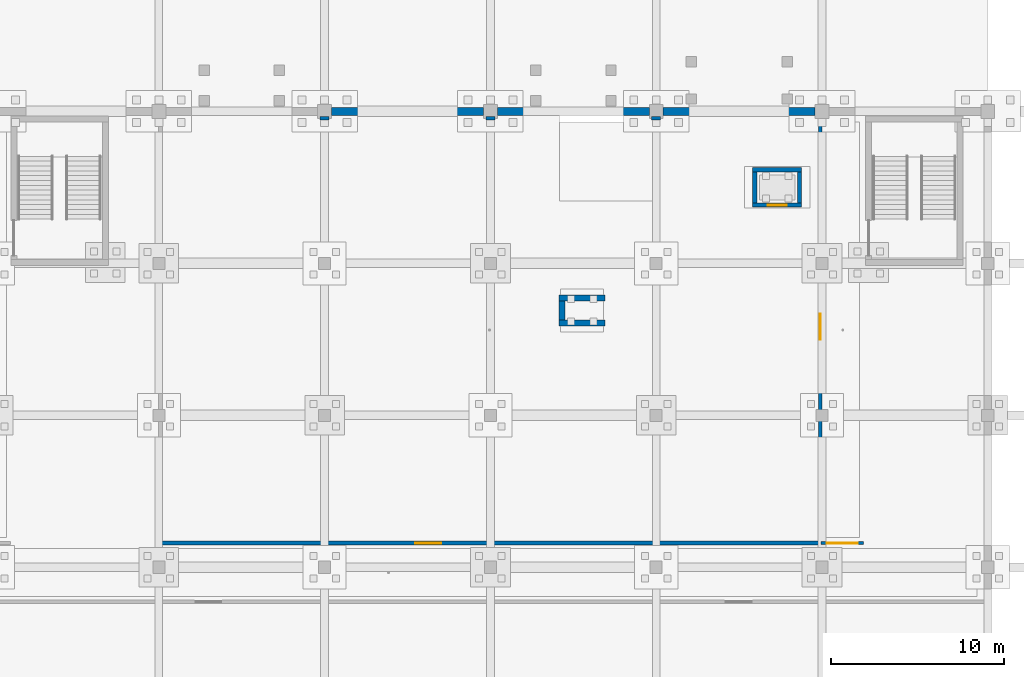
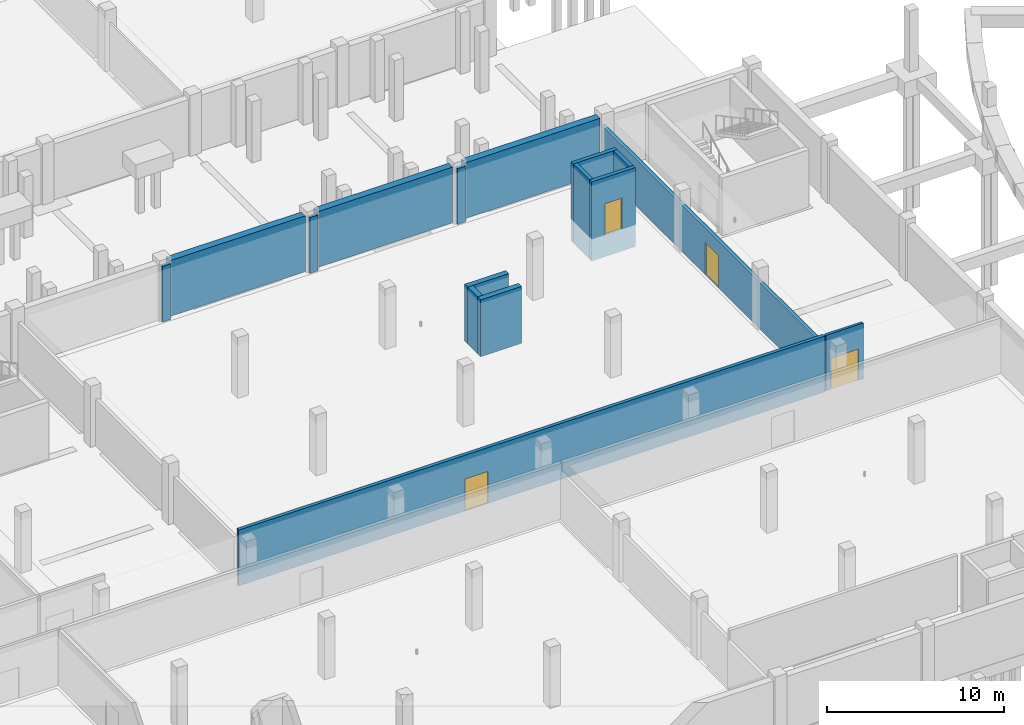
# One storey, part 14 of 31: 16 walls, 4 doors, 4 openings.
"""IFC4 building model written with IfcOpenShell, lengths in metres."""

import ifcopenshell
import ifcopenshell.guid

model = None  # the IFC model being written
_history = None  # IfcOwnerHistory: only IFC2X3 demands one
_inside = {}  # id of a spatial element -> (the spatial element, [elements in it])
_under = {}  # id of a project, library or spatial element -> (it, [spatial elements below it])
_declared = {}  # id of a project -> (the project, [libraries it declares])
_typed = {}  # id of a type object -> (the type object, [elements of that type])
_made_of = {}  # id of a material, layer set ... -> (it, [elements and type objects made of it])


def new_model(schema):
    """Start an empty IFC model of exactly this schema.

    Asked for "IFC4X3", IfcOpenShell would pick the latest addendum, in which some entities
    have other attributes; the version numbers below select the first issue.
    IFC2X3 requires an IfcOwnerHistory on every rooted entity: one is made here for all.
    """
    global model, _history
    if schema == "IFC4X3":
        model = ifcopenshell.file(schema_version=(4, 3, 0, 0))
    else:
        model = ifcopenshell.file(schema=schema)
    _inside.clear()
    _under.clear()
    _declared.clear()
    _typed.clear()
    _made_of.clear()
    _history = None
    if model.schema == "IFC2X3":
        org = make("IfcOrganization", Name="unknown")
        user = make(
            "IfcPersonAndOrganization",
            ThePerson=make("IfcPerson", FamilyName="unknown"),
            TheOrganization=org,
        )
        app = make(
            "IfcApplication",
            ApplicationDeveloper=org,
            Version="unknown",
            ApplicationFullName="unknown",
            ApplicationIdentifier="unknown",
        )
        _history = make(
            "IfcOwnerHistory",
            OwningUser=user,
            OwningApplication=app,
            ChangeAction="ADDED",
            CreationDate=0,
        )
    return model


def make(cls, **values):
    """One entity of the class cls with the attributes given. An attribute that is None is left unset."""
    return model.create_entity(
        cls, **{name: value for name, value in values.items() if value is not None}
    )


def rooted(cls, **values):
    """An entity with a GlobalId (a new one), such as an element, a storey or a relation."""
    return make(cls, GlobalId=ifcopenshell.guid.new(), OwnerHistory=_history, **values)


def si_unit(unit_type, name, prefix=None):
    """IfcSIUnit, for example si_unit("LENGTHUNIT", "METRE", prefix="MILLI")."""
    return make("IfcSIUnit", UnitType=unit_type, Prefix=prefix, Name=name)


def assignment(units):
    """IfcUnitAssignment: the units of a project."""
    return None if units is None else make("IfcUnitAssignment", Units=units)


def point(xyz):
    """IfcCartesianPoint."""
    return None if xyz is None else make("IfcCartesianPoint", Coordinates=xyz)


def direction(xyz):
    """IfcDirection."""
    return None if xyz is None else make("IfcDirection", DirectionRatios=xyz)


def frame(location, z_axis=None, x_axis=None):
    """IfcAxis2Placement3D, a coordinate frame: its origin and axes. An axis left out is left unset."""
    return make(
        "IfcAxis2Placement3D",
        Location=point(location),
        Axis=direction(z_axis),
        RefDirection=direction(x_axis),
    )


def frame_2d(location, x_axis=None):
    """IfcAxis2Placement2D, a coordinate frame in the plane: its origin and x axis."""
    return make(
        "IfcAxis2Placement2D", Location=point(location), RefDirection=direction(x_axis)
    )


def origin():
    """The frame at (0, 0, 0) with its axes left unset."""
    return frame((0.0, 0.0, 0.0))


def place(relative_to, where):
    """IfcLocalPlacement: puts the frame where relative to a parent placement (None: the world)."""
    return make(
        "IfcLocalPlacement", PlacementRelTo=relative_to, RelativePlacement=where
    )


def context(
    kind, dimensions, precision=None, world=None, true_north=None, identifier=None
):
    """IfcGeometricRepresentationContext, for example the 3D "Model" context."""
    return make(
        "IfcGeometricRepresentationContext",
        ContextIdentifier=identifier,
        ContextType=kind,
        CoordinateSpaceDimension=dimensions,
        Precision=precision,
        WorldCoordinateSystem=world,
        TrueNorth=true_north,
    )


def subcontext(parent, identifier, kind, view, scale=None):
    """IfcGeometricRepresentationSubContext, for example "Body" below "Model"."""
    return make(
        "IfcGeometricRepresentationSubContext",
        ContextIdentifier=identifier,
        ContextType=kind,
        ParentContext=parent,
        TargetScale=scale,
        TargetView=view,
    )


def project(units=None, contexts=None):
    """IfcProject with its units and contexts."""
    return rooted(
        "IfcProject",
        Name="project",
        RepresentationContexts=contexts,
        UnitsInContext=assignment(units),
    )


def spatial(cls, under=None, at=None, **own):
    """A site, building, storey or space (cls), placed at a placement, below another one or the project."""
    s = rooted(cls, ObjectPlacement=at, **own)
    if under is not None:
        _under.setdefault(under.id(), (under, []))[1].append(s)
    return s


def profile(cls, at=None, kind="AREA", **sizes):
    """A parametric profile (cls). Its sizes go by their IFC names, for example OverallWidth=200.0."""
    return make(cls, ProfileType=kind, Position=at, **sizes)


def rectangle(**sizes):
    """IfcRectangleProfileDef."""
    return profile("IfcRectangleProfileDef", **sizes)


def extrude(swept, where, along, depth):
    """IfcExtrudedAreaSolid: the profile swept, set in the frame where, extruded along a direction by depth."""
    return make(
        "IfcExtrudedAreaSolid",
        SweptArea=swept,
        Position=where,
        ExtrudedDirection=direction(along),
        Depth=depth,
    )


def shape(context_of_items, identifier, shape_type, items):
    """IfcShapeRepresentation: the items that make up one representation, for example the "Body"."""
    return make(
        "IfcShapeRepresentation",
        ContextOfItems=context_of_items,
        RepresentationIdentifier=identifier,
        RepresentationType=shape_type,
        Items=items,
    )


def material(Name=None, Category=None):
    """IfcMaterial."""
    return make("IfcMaterial", Name=Name, Category=Category)


def layer(
    of_material, thickness, ventilated=None, Name=None, Category=None, Priority=None
):
    """IfcMaterialLayer: one layer of a wall or slab, of a material (None: an air gap)."""
    return make(
        "IfcMaterialLayer",
        Material=of_material,
        LayerThickness=thickness,
        IsVentilated=ventilated,
        Name=Name,
        Category=Category,
        Priority=Priority,
    )


def layer_set(layers, Name=None):
    """IfcMaterialLayerSet."""
    return make("IfcMaterialLayerSet", MaterialLayers=layers, LayerSetName=Name)


def made_of(thing, what):
    """Note that an element or type object is made of a material, layer set ...; save() writes the relation."""
    if what is not None:
        _made_of.setdefault(what.id(), (what, []))[1].append(thing)
    return thing


def type_object(cls, material=None, **own):
    """A type object (cls), such as IfcWallType, which elements share."""
    return made_of(rooted(cls, **own), material)


def element(
    cls,
    number,
    at=None,
    inside=None,
    cuts=None,
    type_object=None,
    material=None,
    context=None,
    identifier="Body",
    shape_type=None,
    held_by="IfcProductDefinitionShape",
    body=None,
    shapes=None,
    **own,
):
    """One element of the class cls, such as IfcWall. Its Tag is "e" and its number.

    at: its placement. inside: the storey or other place that contains it. cuts: it is an
    opening in that element (IfcRelVoidsElement). A single representation is given by context,
    identifier, shape_type and body (its items); several are given by shapes. held_by: the class
    of the entity that holds the representations. save() writes the other relations.
    """
    e = rooted(cls, Tag="e%d" % number, ObjectPlacement=at, **own)
    if body is not None:
        shapes = [shape(context, identifier, shape_type, body)]
    if shapes is not None:
        e.Representation = make(held_by, Representations=shapes)
    if inside is not None:
        _inside.setdefault(inside.id(), (inside, []))[1].append(e)
    if cuts is not None:
        rooted(
            "IfcRelVoidsElement", RelatingBuildingElement=cuts, RelatedOpeningElement=e
        )
    if type_object is not None:
        _typed.setdefault(type_object.id(), (type_object, []))[1].append(e)
    return made_of(e, material)


def fill(opening, filler):
    """IfcRelFillsElement: the door or window that sits in an opening."""
    return rooted(
        "IfcRelFillsElement",
        RelatingOpeningElement=opening,
        RelatedBuildingElement=filler,
    )


def aggregate(whole, parts):
    """IfcRelAggregates: a whole, such as a stair, and the parts it consists of."""
    return rooted("IfcRelAggregates", RelatingObject=whole, RelatedObjects=parts)


def save(model, path):
    """Write the relations noted so far, then the file.

    IfcRelAggregates (storeys below a building ...), IfcRelContainedInSpatialStructure (elements
    in a storey), IfcRelDefinesByType, IfcRelAssociatesMaterial and IfcRelDeclares: one each for
    every whole, place, type object, material and project.
    """
    for whole, parts in _under.values():
        aggregate(whole, parts)
    for where, things in _inside.values():
        rooted(
            "IfcRelContainedInSpatialStructure",
            RelatedElements=things,
            RelatingStructure=where,
        )
    for kind, things in _typed.values():
        rooted("IfcRelDefinesByType", RelatedObjects=things, RelatingType=kind)
    for what, things in _made_of.values():
        rooted("IfcRelAssociatesMaterial", RelatedObjects=things, RelatingMaterial=what)
    for by, libraries in _declared.values():
        rooted("IfcRelDeclares", RelatingContext=by, RelatedDefinitions=libraries)
    model.write(path)


model = new_model("IFC4")

# Units and contexts
model_context = context("Model", 3, precision=1e-05, world=origin(), true_north=direction((0.0, 1.0)))
body_context = subcontext(model_context, "Body", "Model", "MODEL_VIEW")
ifc_project = project(units=[si_unit("LENGTHUNIT", "METRE"), si_unit("AREAUNIT", "SQUARE_METRE"), si_unit("VOLUMEUNIT", "CUBIC_METRE"), si_unit("PLANEANGLEUNIT", "RADIAN"), si_unit("MASSUNIT", "GRAM", prefix="KILO")], contexts=[model_context])

# Site, building, storey
site_placement = place(None, origin())
site = spatial("IfcSite", under=ifc_project, at=site_placement, CompositionType="ELEMENT")
building_placement = place(site_placement, origin())
building = spatial("IfcBuilding", under=site, at=building_placement, Name="Chalmorin Arch Market", CompositionType="ELEMENT")
storey_placement = place(building_placement, frame((0.0, 0.0, -4.199951171875)))
storey = spatial("IfcBuildingStorey", under=building, at=storey_placement, Name="B1", CompositionType="ELEMENT", Elevation=-4.199951171875)

# Walls
ifc_material_1 = material(Name="Concrete C40/50", Category="concrete")
ifc_layer_1 = layer(ifc_material_1, 0.449951171875)
ifc_layer_set_1 = layer_set([ifc_layer_1], Name="Concrete C40/50")
wall_type_1 = type_object("IfcWallType", Name="BasementFloodwall-450", PredefinedType="SOLIDWALL", material=ifc_layer_set_1)
for number, where, z_axis, x_axis, name in (
    (1, (114.800048828125, 58.800048828125, 0.0), (0.0, 0.0, 1.0), (-1.0, 0.0, 0.0), "BFW-450-016"),
    (2, (105.199951171875, 58.800048828125, 0.0), (0.0, 0.0, 1.0), (-1.0, 0.0, 0.0), "BFW-450-017"),
    (3, (95.60009765625, 58.800048828125, 0.0), (0.0, 0.0, 1.0), (-1.0, 0.0, 0.0), "BFW-450-018"),
):
    element("IfcWall", number, at=place(storey_placement, frame(where, z_axis=z_axis, x_axis=x_axis)), inside=storey, type_object=wall_type_1, Name=name, PredefinedType="SOLIDWALL", context=body_context, shape_type="SweptSolid", body=[
        extrude(rectangle(XDim=8.800048828125, YDim=0.449951171875, at=frame_2d((4.39990234375, 0.0))), origin(), (0.0, 0.0, 1.0), 3.83984375),
    ])

# Wall, opening, door
ifc_material_2 = material(Name="Galvanised Steel", Category="steel")
ifc_layer_2 = layer(ifc_material_2, 0.219970703125)
ifc_layer_set_2 = layer_set([ifc_layer_2], Name="Galvanised Steel")
wall_type_2 = type_object("IfcWallType", Name="ColdStoreInsulatedWall-220", PredefinedType="PARTITIONING", material=ifc_layer_set_2)
wall_1_placement = place(storey_placement, frame((76.89990234375, 33.800048828125, 0.0), z_axis=(0.0, 0.0, 1.0), x_axis=(1.0, 0.0, 0.0)))
wall_1 = element("IfcWall", 4, at=wall_1_placement, inside=storey, type_object=wall_type_2, Name="CIW-220-357", PredefinedType="PARTITIONING", context=body_context, shape_type="SweptSolid", body=[
    extrude(rectangle(XDim=38.170166015625, YDim=0.219970703125, at=frame_2d((19.0849609375, 0.0))), origin(), (0.0, 0.0, 1.0), 3.83984375),
])
opening_1_placement = place(wall_1_placement, frame((14.739990234375, 0.0, 0.0)))
opening_1 = element("IfcOpeningElement", 5, at=opening_1_placement, cuts=wall_1, Name="Opening ID-097", PredefinedType="OPENING", context=body_context, shape_type="SweptSolid", body=[
    extrude(rectangle(XDim=1.5, YDim=2.199951171875, at=frame_2d((0.75, 1.10009765625))), frame((0.0, 0.119873046875, 0.0), z_axis=(0.0, -1.0, 0.0), x_axis=(1.0, 0.0, 0.0)), (0.0, 0.0, 1.0), 0.239990234375),
])
ifc_material_3 = material(Name="Stainless Steel 316", Category="steel")
door_type_1 = type_object("IfcDoorType", Name="ColdStoreSlidingDoor-1500x2200", OperationType="SLIDING_TO_RIGHT", PredefinedType="DOOR", material=ifc_material_3)
door_1_placement = place(opening_1_placement, origin())
door_1 = element("IfcDoor", 6, at=door_1_placement, inside=storey, type_object=door_type_1, Name="ID-097", OperationType="SLIDING_TO_RIGHT", OverallHeight=2.199951171875, OverallWidth=1.5, PredefinedType="DOOR", context=body_context, shape_type="SweptSolid", body=[
    extrude(rectangle(XDim=1.5, YDim=2.199951171875, at=frame_2d((0.75, 1.10009765625))), frame((0.0, 0.02490234375, 0.0), z_axis=(0.0, -1.0, 0.0), x_axis=(1.0, 0.0, 0.0)), (0.0, 0.0, 1.0), 0.050048828125),
])
fill(opening_1, door_1)

wall_2_placement = place(storey_placement, frame((115.10009765625, 33.89990234375, 0.0), z_axis=(0.0, 0.0, 1.0), x_axis=(0.0, 1.0, 0.0)))
wall_2 = element("IfcWall", 7, at=wall_2_placement, inside=storey, type_object=wall_type_2, Name="CIW-220-358", PredefinedType="PARTITIONING", context=body_context, shape_type="SweptSolid", body=[
    extrude(rectangle(XDim=24.85009765625, YDim=0.219970703125, at=frame_2d((12.425048828125, 0.0))), origin(), (0.0, 0.0, 1.0), 3.198974609375),
])
opening_2_placement = place(wall_2_placement, frame((11.675048828125, 0.0, 0.0)))
opening_2 = element("IfcOpeningElement", 8, at=opening_2_placement, cuts=wall_2, Name="Opening ID-098", PredefinedType="OPENING", context=body_context, shape_type="SweptSolid", body=[
    extrude(rectangle(XDim=1.5, YDim=2.199951171875, at=frame_2d((0.75, 1.10009765625))), frame((0.0, 0.119873046875, 0.0), z_axis=(0.0, -1.0, 0.0), x_axis=(1.0, 0.0, 0.0)), (0.0, 0.0, 1.0), 0.239990234375),
])
door_2_placement = place(opening_2_placement, origin())
door_2 = element("IfcDoor", 9, at=door_2_placement, inside=storey, type_object=door_type_1, Name="ID-098", OperationType="SLIDING_TO_RIGHT", OverallHeight=2.199951171875, OverallWidth=1.5, PredefinedType="DOOR", context=body_context, shape_type="SweptSolid", body=[
    extrude(rectangle(XDim=1.5, YDim=2.199951171875, at=frame_2d((0.75, 1.10009765625))), frame((0.0, 0.02490234375, 0.0), z_axis=(0.0, -1.0, 0.0), x_axis=(1.0, 0.0, 0.0)), (0.0, 0.0, 1.0), 0.050048828125),
])
fill(opening_2, door_2)

# Walls
for number, where, z_axis, x_axis, name in (
    (10, (86.139892578125, 58.39990234375, 0.0), (0.0, 0.0, 1.0), (1.0, 0.0, 0.0), "CIW-220-385"),
    (11, (95.739990234375, 58.39990234375, 0.0), (0.0, 0.0, 1.0), (1.0, 0.0, 0.0), "CIW-220-386"),
    (12, (105.340087890625, 58.39990234375, 0.0), (0.0, 0.0, 1.0), (1.0, 0.0, 0.0), "CIW-220-387"),
):
    element("IfcWall", number, at=place(storey_placement, frame(where, z_axis=z_axis, x_axis=x_axis)), inside=storey, type_object=wall_type_2, Name=name, PredefinedType="PARTITIONING", context=body_context, shape_type="SweptSolid", body=[
        extrude(rectangle(XDim=0.52001953125, YDim=0.219970703125, at=frame_2d((0.260009765625, 0.0))), origin(), (0.0, 0.0, 1.0), 3.83984375),
    ])
ifc_layer_3 = layer(ifc_material_1, 0.35009765625)
ifc_layer_set_3 = layer_set([ifc_layer_3], Name="Concrete C40/50")
wall_type_3 = type_object("IfcWallType", Name="CoreShearWall-350", PredefinedType="SHEAR", material=ifc_layer_set_3)
for number, where, z_axis, x_axis, name in (
    (13, (99.97509765625, 46.550048828125, 0.0), (0.0, 0.0, 1.0), (1.0, 0.0, 0.0), "CSW-350-147"),
    (14, (99.97509765625, 48.0, 0.0), (0.0, 0.0, 1.0), (1.0, 0.0, 0.0), "CSW-350-148"),
):
    element("IfcWall", number, at=place(storey_placement, frame(where, z_axis=z_axis, x_axis=x_axis)), inside=storey, type_object=wall_type_3, Name=name, PredefinedType="SHEAR", context=body_context, shape_type="SweptSolid", body=[
        extrude(rectangle(XDim=2.669921875, YDim=0.35009765625, at=frame_2d((1.3349609375, 0.0))), origin(), (0.0, 0.0, 1.0), 3.919921875),
    ])
wall_3_placement = place(storey_placement, frame((100.14990234375, 46.72509765625, 0.0), z_axis=(0.0, 0.0, 1.0), x_axis=(0.0, 1.0, 0.0)))
element("IfcWall", 15, at=wall_3_placement, inside=storey, type_object=wall_type_3, Name="CSW-350-149", PredefinedType="SHEAR", context=body_context, shape_type="SweptSolid", body=[
    extrude(rectangle(XDim=1.099853515625, YDim=0.35009765625, at=frame_2d((0.5498046875, 0.0))), origin(), (0.0, 0.0, 1.0), 3.919921875),
])

# Wall, opening, door
ifc_material_4 = material(Name="Gypsum Board Partition")
ifc_layer_4 = layer(ifc_material_4, 0.159912109375)
ifc_layer_set_4 = layer_set([ifc_layer_4], Name="Gypsum Board Partition")
wall_type_4 = type_object("IfcWallType", Name="CorridorRatedPartition-160", PredefinedType="PARTITIONING", material=ifc_layer_set_4)
wall_4_placement = place(storey_placement, frame((115.14990234375, 33.800048828125, 0.0), z_axis=(0.0, 0.0, 1.0), x_axis=(1.0, 0.0, 0.0)))
wall_4 = element("IfcWall", 16, at=wall_4_placement, inside=storey, type_object=wall_type_4, Name="CRP-160-354", PredefinedType="PARTITIONING", context=body_context, shape_type="SweptSolid", body=[
    extrude(rectangle(XDim=2.4501953125, YDim=0.159912109375, at=frame_2d((1.22509765625, 0.0))), origin(), (0.0, 0.0, 1.0), 3.83984375),
])
opening_3_placement = place(wall_4_placement, frame((0.324951171875, 0.0, 0.0)))
opening_3 = element("IfcOpeningElement", 17, at=opening_3_placement, cuts=wall_4, Name="Opening ID-094", PredefinedType="OPENING", context=body_context, shape_type="SweptSolid", body=[
    extrude(rectangle(XDim=1.800048828125, YDim=2.14990234375, at=frame_2d((0.89990234375, 1.074951171875))), frame((0.0, 0.08984375, 0.0), z_axis=(0.0, -1.0, 0.0), x_axis=(1.0, 0.0, 0.0)), (0.0, 0.0, 1.0), 0.179931640625),
])
door_type_2 = type_object("IfcDoorType", Name="CorridorFireDoubleDoor-1800x2150", OperationType="DOUBLE_DOOR_SINGLE_SWING", PredefinedType="DOOR", material=ifc_material_2)
door_3_placement = place(opening_3_placement, origin())
door_3 = element("IfcDoor", 18, at=door_3_placement, inside=storey, type_object=door_type_2, Name="ID-094", OperationType="DOUBLE_DOOR_SINGLE_SWING", OverallHeight=2.14990234375, OverallWidth=1.800048828125, PredefinedType="DOOR", context=body_context, shape_type="SweptSolid", body=[
    extrude(rectangle(XDim=1.800048828125, YDim=2.14990234375, at=frame_2d((0.89990234375, 1.074951171875))), frame((0.0, 0.02490234375, 0.0), z_axis=(0.0, -1.0, 0.0), x_axis=(1.0, 0.0, 0.0)), (0.0, 0.0, 1.0), 0.050048828125),
])
fill(opening_3, door_3)

ifc_material_5 = material(Name="Concrete C35/45", Category="concrete")
ifc_layer_5 = layer(ifc_material_5, 0.25)
ifc_layer_set_5 = layer_set([ifc_layer_5], Name="Concrete C35/45")
wall_type_5 = type_object("IfcWallType", Name="ShaftEnclosureWall-250", PredefinedType="SOLIDWALL", material=ifc_layer_set_5)
wall_5_placement = place(storey_placement, frame((114.02490234375, 53.375, -1.5), z_axis=(0.0, 0.0, 1.0), x_axis=(-1.0, 0.0, 0.0)))
wall_5 = element("IfcWall", 19, at=wall_5_placement, inside=storey, type_object=wall_type_5, Name="SEW-250-246", PredefinedType="SOLIDWALL", context=body_context, shape_type="SweptSolid", body=[
    extrude(rectangle(XDim=2.849853515625, YDim=0.25, at=frame_2d((1.4248046875, 0.0))), origin(), (0.0, 0.0, 1.0), 5.449951171875),
])
opening_4_placement = place(wall_5_placement, frame((0.875, 0.0, 1.5)))
opening_4 = element("IfcOpeningElement", 20, at=opening_4_placement, cuts=wall_5, Name="Opening LD-LF-P3-B1", PredefinedType="OPENING", context=body_context, shape_type="SweptSolid", body=[
    extrude(rectangle(XDim=1.10009765625, YDim=2.14990234375, at=frame_2d((0.550048828125, 1.074951171875))), frame((0.0, 0.135009765625, 0.0), z_axis=(0.0, -1.0, 0.0), x_axis=(1.0, 0.0, 0.0)), (0.0, 0.0, 1.0), 0.27001953125),
])
door_type_3 = type_object("IfcDoorType", Name="LiftLandingSlidingDoor-1100x2150", OperationType="DOUBLE_DOOR_SLIDING", PredefinedType="DOOR", material=ifc_material_3)
door_4_placement = place(opening_4_placement, origin())
door_4 = element("IfcDoor", 21, at=door_4_placement, inside=storey, type_object=door_type_3, Name="LD-LF-P3-B1", OperationType="DOUBLE_DOOR_SLIDING", OverallHeight=2.14990234375, OverallWidth=1.10009765625, PredefinedType="DOOR", context=body_context, shape_type="SweptSolid", body=[
    extrude(rectangle(XDim=1.10009765625, YDim=2.14990234375, at=frame_2d((0.550048828125, 1.074951171875))), frame((0.0, 0.02490234375, 0.0), z_axis=(0.0, -1.0, 0.0), x_axis=(1.0, 0.0, 0.0)), (0.0, 0.0, 1.0), 0.050048828125),
])
fill(opening_4, door_4)

# Walls
wall_6_placement = place(storey_placement, frame((111.175048828125, 55.425048828125, -1.5), z_axis=(0.0, 0.0, 1.0), x_axis=(1.0, 0.0, 0.0)))
element("IfcWall", 22, at=wall_6_placement, inside=storey, type_object=wall_type_5, Name="SEW-250-247", PredefinedType="SOLIDWALL", context=body_context, shape_type="SweptSolid", body=[
    extrude(rectangle(XDim=2.849853515625, YDim=0.25, at=frame_2d((1.4248046875, 0.0))), origin(), (0.0, 0.0, 1.0), 5.449951171875),
])
for number, where, z_axis, x_axis, name in (
    (23, (111.300048828125, 53.5, -1.5), (0.0, 0.0, 1.0), (0.0, 1.0, 0.0), "SEW-250-248"),
    (24, (113.89990234375, 55.300048828125, -1.5), (0.0, 0.0, 1.0), (0.0, -1.0, 0.0), "SEW-250-249"),
):
    element("IfcWall", number, at=place(storey_placement, frame(where, z_axis=z_axis, x_axis=x_axis)), inside=storey, type_object=wall_type_5, Name=name, PredefinedType="SOLIDWALL", context=body_context, shape_type="SweptSolid", body=[
        extrude(rectangle(XDim=1.800048828125, YDim=0.25, at=frame_2d((0.89990234375, 0.0))), origin(), (0.0, 0.0, 1.0), 5.449951171875),
    ])

save(model, "model.ifc")
